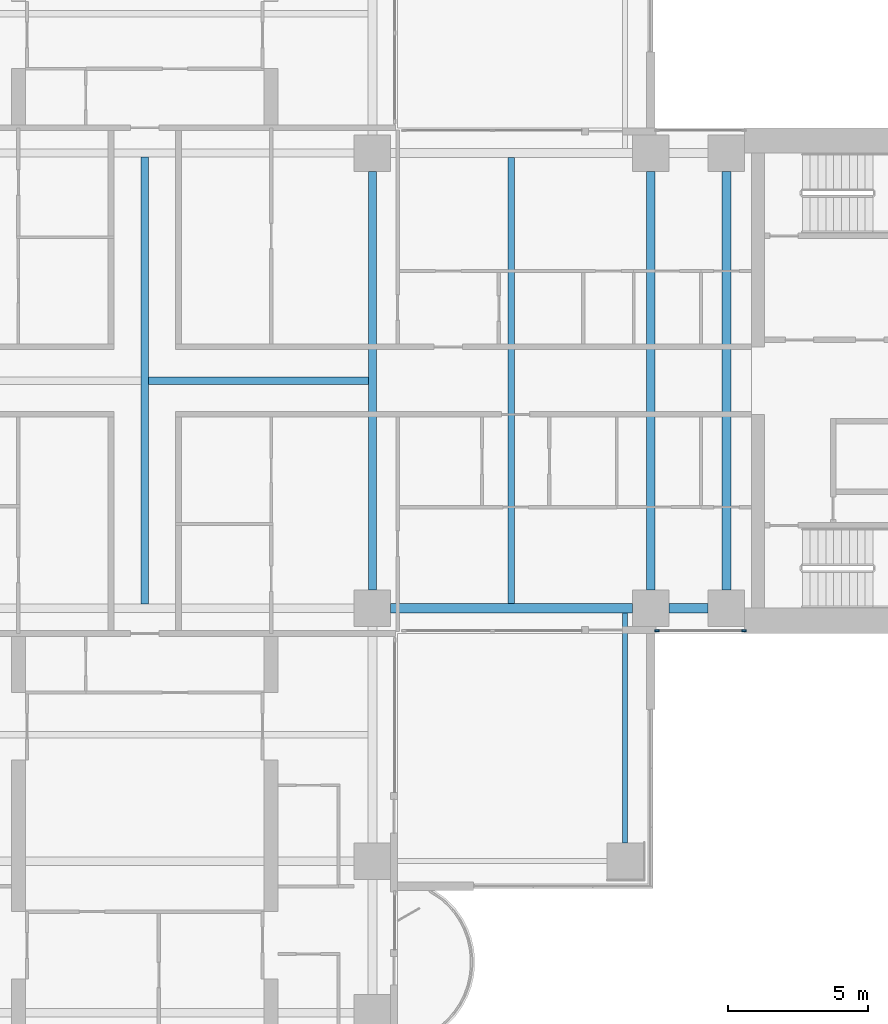
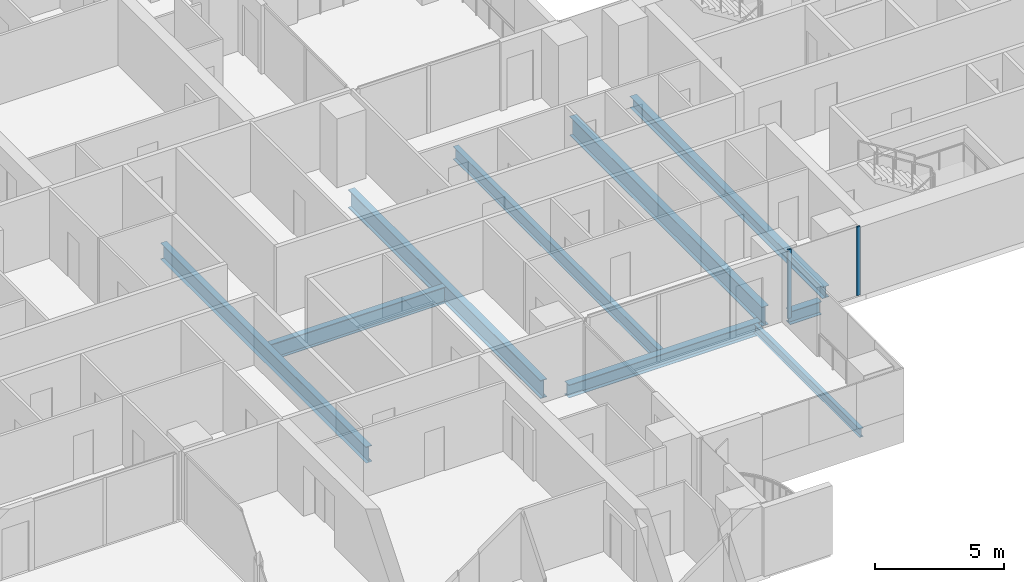
# One storey, part 4 of 21: 9 beams, 2 members, 1 element without a shape of its own.
"""IFC4 building model written with IfcOpenShell, lengths in metres."""

from ifc_helpers import new_model, si_unit, direction, frame, origin, origin_2d, place, context, subcontext, project, spatial, rectangle, i_section, extrude, material, material_profile, profile_set, type_object, element, aggregate, save


model = new_model("IFC4")

# Units and contexts
model_context = context("Model", 3, precision=1e-05, world=origin(), true_north=direction((0.0, 1.0)))
body_context = subcontext(model_context, "Body", "Model", "MODEL_VIEW")
ifc_project = project(units=[si_unit("LENGTHUNIT", "METRE"), si_unit("AREAUNIT", "SQUARE_METRE"), si_unit("VOLUMEUNIT", "CUBIC_METRE"), si_unit("PLANEANGLEUNIT", "RADIAN"), si_unit("MASSUNIT", "GRAM", prefix="KILO")], contexts=[model_context])

# Site, building, storey
site_placement = place(None, origin())
site = spatial("IfcSite", under=ifc_project, at=site_placement, CompositionType="ELEMENT")
building_placement = place(site_placement, origin())
building = spatial("IfcBuilding", under=site, at=building_placement, Name="Perihelion Cross Residences", CompositionType="ELEMENT")
storey_placement = place(building_placement, frame((0.0, 0.0, 54.0)))
storey = spatial("IfcBuildingStorey", under=building, at=storey_placement, Name="L10", CompositionType="ELEMENT", Elevation=54.0)

# Curtain wall, members
ifc_material_1 = material(Name="Bronze anodised aluminium, tinted glazing", Category="aluminium")
curtain_wall_type = type_object("IfcCurtainWallType", Name="CW1", PredefinedType="NOTDEFINED", material=ifc_material_1)
curtain_wall_placement = place(storey_placement, origin())
curtain_wall = element("IfcCurtainWall", 1, at=curtain_wall_placement, inside=storey, type_object=curtain_wall_type, Name="Curtain wall CW1 L10 east side south bay 2", PredefinedType="NOTDEFINED")
ifc_material_2 = material(Name="Bronze anodised aluminium", Category="aluminium")
ifc_material_profile_1 = material_profile(ifc_material_2, rectangle(XDim=0.06005859375, YDim=0.159912109375, at=origin_2d()), Name="CW1 mullion")
ifc_profile_set_1 = profile_set([ifc_material_profile_1], Name="Bronze anodised aluminium")
member_type = type_object("IfcMemberType", Name="CW1 mullion", PredefinedType="MULLION", material=ifc_profile_set_1)
member_1_placement = place(storey_placement, frame((18.22998046875, -8.89990234375, 0.0), z_axis=(0.0, 0.0, 1.0), x_axis=(0.0, 1.0, 0.0)))
member_1 = element("IfcMember", 2, at=member_1_placement, type_object=member_type, Name="CW1 mullion 1", PredefinedType="MULLION", context=body_context, shape_type="SweptSolid", body=[
    extrude(rectangle(XDim=0.06005859375, YDim=0.159912109375, at=origin_2d()), origin(), (0.0, 0.0, 1.0), 3.25),
])
member_2_placement = place(storey_placement, frame((21.320068359375, -8.89990234375, 0.0), z_axis=(0.0, 0.0, 1.0), x_axis=(0.0, 1.0, 0.0)))
member_2 = element("IfcMember", 3, at=member_2_placement, type_object=member_type, Name="CW1 mullion 2", PredefinedType="MULLION", context=body_context, shape_type="SweptSolid", body=[
    extrude(rectangle(XDim=0.06005859375, YDim=0.159912109375, at=origin_2d()), origin(), (0.0, 0.0, 1.0), 3.25),
])
aggregate(curtain_wall, [member_1, member_2])

# Beams
ifc_material_3 = material(Name="Steel S355", Category="steel")
ifc_material_profile_2 = material_profile(ifc_material_3, i_section(OverallWidth=0.177978515625, OverallDepth=0.406005859375, WebThickness=0.0078125, FlangeThickness=0.0126953125, at=origin_2d()), Name="W410x60")
ifc_profile_set_2 = profile_set([ifc_material_profile_2], Name="Steel S355")
beam_type_1 = type_object("IfcBeamType", Name="Core edge beam W410x60", PredefinedType="BEAM", material=ifc_profile_set_2)
beam_1_placement = place(storey_placement, frame((17.10009765625, -8.262451171875, -0.452880859375), z_axis=(0.0, -1.0, 0.0), x_axis=(1.0, 0.0, 0.0)))
element("IfcBeam", 4, at=beam_1_placement, inside=storey, type_object=beam_type_1, Name="Core edge beam TB2 L10 corner no. 5", PredefinedType="BEAM", context=body_context, shape_type="SweptSolid", body=[
    extrude(i_section(OverallWidth=0.177978515625, OverallDepth=0.406005859375, WebThickness=0.0078125, FlangeThickness=0.0126953125, at=origin_2d()), origin(), (0.0, 0.0, 1.0), 8.1875),
])
ifc_material_4 = material(Name="Steel S355", Category="steel")
ifc_material_profile_3 = material_profile(ifc_material_4, i_section(OverallWidth=0.31201171875, OverallDepth=0.5439453125, WebThickness=0.0126953125, FlangeThickness=0.020263671875, at=origin_2d()), Name="W530x150")
ifc_profile_set_3 = profile_set([ifc_material_profile_3], Name="Steel S355")
beam_type_2 = type_object("IfcBeamType", Name="Core edge beam W530x150", PredefinedType="BEAM", material=ifc_profile_set_3)
beam_2_placement = place(storey_placement, frame((20.699951171875, -7.449951171875, -0.52197265625), z_axis=(0.0, 1.0, 0.0), x_axis=(-1.0, 0.0, 0.0)))
element("IfcBeam", 5, at=beam_2_placement, inside=storey, type_object=beam_type_2, Name="Core edge beam TB4 L10 no. 2", PredefinedType="BEAM", context=body_context, shape_type="SweptSolid", body=[
    extrude(i_section(OverallWidth=0.31201171875, OverallDepth=0.5439453125, WebThickness=0.0126953125, FlangeThickness=0.020263671875, at=origin_2d()), origin(), (0.0, 0.0, 1.0), 14.89990234375),
])
ifc_material_5 = material(Name="Steel S355", Category="steel")
ifc_material_profile_4 = material_profile(ifc_material_5, i_section(OverallWidth=0.324951171875, OverallDepth=0.616943359375, WebThickness=0.013916015625, FlangeThickness=0.021484375, at=origin_2d()), Name="W610x174")
ifc_profile_set_4 = profile_set([ifc_material_profile_4], Name="Steel S355")
beam_type_3 = type_object("IfcBeamType", Name="Edge beam W610x174", PredefinedType="SPANDREL", material=ifc_profile_set_4)
beam_3_placement = place(storey_placement, frame((8.75, -8.10009765625, -0.55859375), z_axis=(1.0, 0.0, 0.0), x_axis=(0.0, 1.0, 0.0)))
element("IfcBeam", 6, at=beam_3_placement, inside=storey, type_object=beam_type_3, Name="Edge beam SB2 L10 no. 18", PredefinedType="SPANDREL", context=body_context, shape_type="SweptSolid", body=[
    extrude(i_section(OverallWidth=0.324951171875, OverallDepth=0.616943359375, WebThickness=0.013916015625, FlangeThickness=0.021484375, at=origin_2d()), origin(), (0.0, 0.0, 1.0), 8.60009765625),
])
beam_4_placement = place(storey_placement, frame((18.64990234375, -8.10009765625, -0.55859375), z_axis=(1.0, 0.0, 0.0), x_axis=(0.0, 1.0, 0.0)))
element("IfcBeam", 7, at=beam_4_placement, inside=storey, type_object=beam_type_3, Name="Edge beam SB2 L10 no. 12", PredefinedType="SPANDREL", context=body_context, shape_type="SweptSolid", body=[
    extrude(i_section(OverallWidth=0.324951171875, OverallDepth=0.616943359375, WebThickness=0.013916015625, FlangeThickness=0.021484375, at=origin_2d()), origin(), (0.0, 0.0, 1.0), 1.400146484375),
])
ifc_material_6 = material(Name="Steel S355", Category="steel")
ifc_material_profile_5 = material_profile(ifc_material_6, i_section(OverallWidth=0.304931640625, OverallDepth=0.904052734375, WebThickness=0.01513671875, FlangeThickness=0.02001953125, at=origin_2d()), Name="W920x201")
ifc_profile_set_5 = profile_set([ifc_material_profile_5], Name="Steel S355")
beam_type_4 = type_object("IfcBeamType", Name="Floor girder W920x201", PredefinedType="BEAM", material=ifc_profile_set_5)
beam_5_placement = place(storey_placement, frame((18.0, -7.449951171875, -0.701904296875), z_axis=(0.0, 1.0, 0.0), x_axis=(-1.0, 0.0, 0.0)))
element("IfcBeam", 8, at=beam_5_placement, inside=storey, type_object=beam_type_4, Name="Girder G2 L10 no. 2", PredefinedType="BEAM", context=body_context, shape_type="SweptSolid", body=[
    extrude(i_section(OverallWidth=0.304931640625, OverallDepth=0.904052734375, WebThickness=0.01513671875, FlangeThickness=0.02001953125, at=origin_2d()), origin(), (0.0, 0.0, 1.0), 14.89990234375),
])
ifc_material_7 = material(Name="Steel S355", Category="steel")
ifc_material_profile_6 = material_profile(ifc_material_7, i_section(OverallWidth=0.22900390625, OverallDepth=0.612060546875, WebThickness=0.011962890625, FlangeThickness=0.01953125, at=origin_2d()), Name="W610x125")
ifc_profile_set_6 = profile_set([ifc_material_profile_6], Name="Steel S355")
beam_type_5 = type_object("IfcBeamType", Name="Floor joist W610x125", PredefinedType="JOIST", material=ifc_profile_set_6)
beam_6_placement = place(storey_placement, frame((13.050048828125, -7.9375, -0.555908203125), z_axis=(0.0, 1.0, 0.0), x_axis=(-1.0, 0.0, 0.0)))
element("IfcBeam", 9, at=beam_6_placement, inside=storey, type_object=beam_type_5, Name="Joist J3 L10 no. 2", PredefinedType="JOIST", context=body_context, shape_type="SweptSolid", body=[
    extrude(i_section(OverallWidth=0.22900390625, OverallDepth=0.612060546875, WebThickness=0.011962890625, FlangeThickness=0.01953125, at=origin_2d()), origin(), (0.0, 0.0, 1.0), 15.875),
])
ifc_material_8 = material(Name="Steel S355", Category="steel")
ifc_material_profile_7 = material_profile(ifc_material_8, i_section(OverallWidth=0.26708984375, OverallDepth=0.77001953125, WebThickness=0.015625, FlangeThickness=0.025390625, at=origin_2d()), Name="W760x196")
ifc_profile_set_7 = profile_set([ifc_material_profile_7], Name="Steel S355")
beam_type_6 = type_object("IfcBeamType", Name="Hub cross beam W760x196", PredefinedType="BEAM", material=ifc_profile_set_7)
beam_7_placement = place(storey_placement, frame((0.0, -7.9541015625, -0.635009765625), z_axis=(0.0, 1.0, 0.0), x_axis=(-1.0, 0.0, 0.0)))
element("IfcBeam", 10, at=beam_7_placement, inside=storey, type_object=beam_type_6, Name="Hub cross beam XB2 L10 no. 1", PredefinedType="BEAM", context=body_context, shape_type="SweptSolid", body=[
    extrude(i_section(OverallWidth=0.26708984375, OverallDepth=0.77001953125, WebThickness=0.015625, FlangeThickness=0.025390625, at=origin_2d()), origin(), (0.0, 0.0, 1.0), 15.908203125),
])
beam_8_placement = place(storey_placement, frame((0.133544921875, 0.0, -0.635009765625), z_axis=(1.0, 0.0, 0.0), x_axis=(0.0, 1.0, 0.0)))
element("IfcBeam", 11, at=beam_8_placement, inside=storey, type_object=beam_type_6, Name="Hub cross beam XB2 L10 2 no. 1", PredefinedType="BEAM", context=body_context, shape_type="SweptSolid", body=[
    extrude(i_section(OverallWidth=0.26708984375, OverallDepth=0.77001953125, WebThickness=0.015625, FlangeThickness=0.025390625, at=origin_2d()), origin(), (0.0, 0.0, 1.0), 7.820556640625),
])
ifc_material_9 = material(Name="Steel S355", Category="steel")
ifc_material_profile_8 = material_profile(ifc_material_9, i_section(OverallWidth=0.2919921875, OverallDepth=0.85888671875, WebThickness=0.01708984375, FlangeThickness=0.031005859375, at=origin_2d()), Name="W840x251")
ifc_profile_set_8 = profile_set([ifc_material_profile_8], Name="Steel S355")
beam_type_7 = type_object("IfcBeamType", Name="Hub ring girder W840x251", PredefinedType="BEAM", material=ifc_profile_set_8)
beam_9_placement = place(storey_placement, frame((8.10009765625, -7.449951171875, -0.679443359375), z_axis=(0.0, 1.0, 0.0), x_axis=(-1.0, 0.0, 0.0)))
element("IfcBeam", 12, at=beam_9_placement, inside=storey, type_object=beam_type_7, Name="Hub ring girder RG2 L10 no. 3", PredefinedType="BEAM", context=body_context, shape_type="SweptSolid", body=[
    extrude(i_section(OverallWidth=0.2919921875, OverallDepth=0.85888671875, WebThickness=0.01708984375, FlangeThickness=0.031005859375, at=origin_2d()), origin(), (0.0, 0.0, 1.0), 14.89990234375),
])

save(model, "model.ifc")
